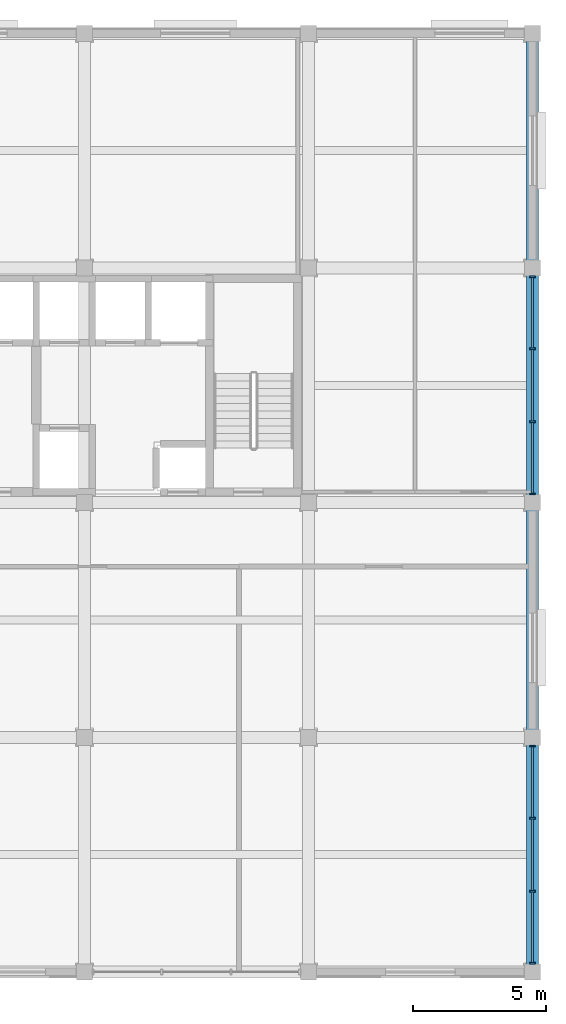
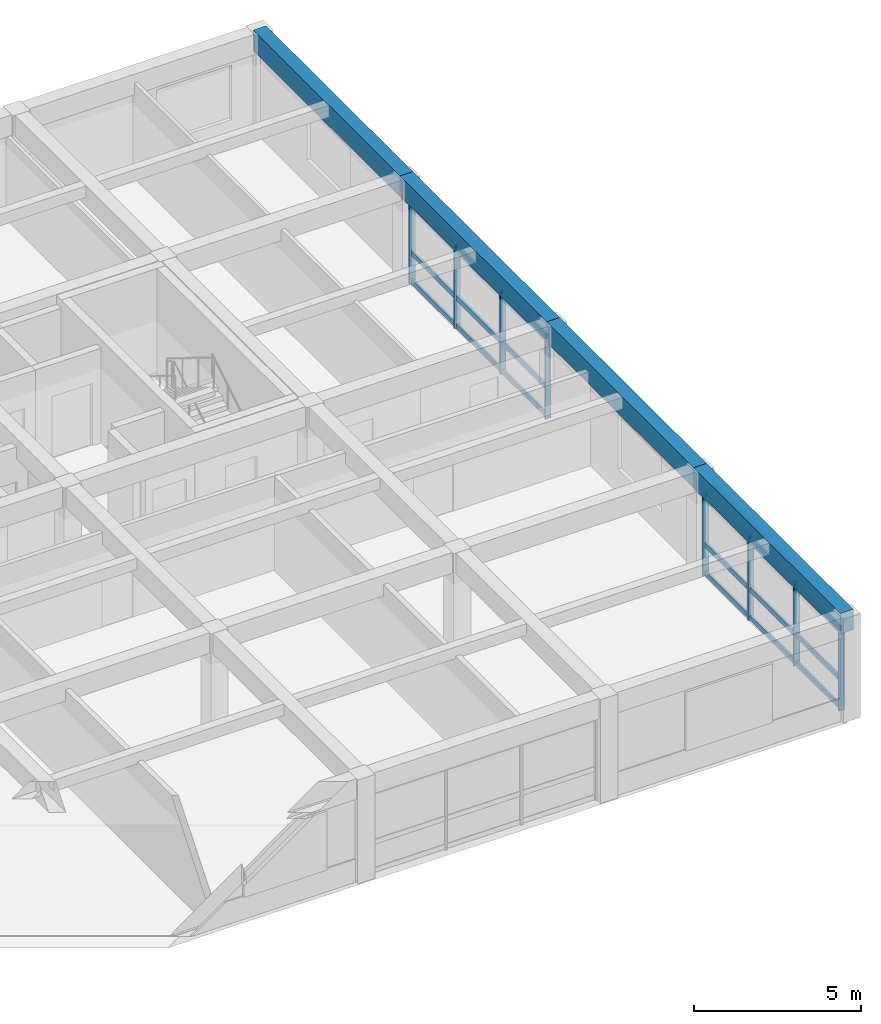
# One storey, part 4 of 12: 26 members, 4 beams, 2 elements without a shape of their own.
"""IFC4 building model written with IfcOpenShell, lengths in metres."""

from ifc_helpers import new_model, si_unit, direction, frame, origin, origin_2d, place, context, subcontext, project, spatial, rectangle, extrude, material, material_profile, profile_set, type_object, element, aggregate, save


model = new_model("IFC4")

# Units and contexts
model_context = context("Model", 3, precision=1e-05, world=origin(), true_north=direction((0.0, 1.0)))
body_context = subcontext(model_context, "Body", "Model", "MODEL_VIEW")
ifc_project = project(units=[si_unit("LENGTHUNIT", "METRE"), si_unit("AREAUNIT", "SQUARE_METRE"), si_unit("VOLUMEUNIT", "CUBIC_METRE"), si_unit("PLANEANGLEUNIT", "RADIAN"), si_unit("MASSUNIT", "GRAM", prefix="KILO")], contexts=[model_context])

# Site, building, storey
site_placement = place(None, origin())
site = spatial("IfcSite", under=ifc_project, at=site_placement, CompositionType="ELEMENT")
building_placement = place(site_placement, origin())
building = spatial("IfcBuilding", under=site, at=building_placement, Name="Kemercrest Conservatory and Botanical Centre", CompositionType="ELEMENT")
storey_placement = place(building_placement, frame((0.0, 0.0, 56.0)))
storey = spatial("IfcBuildingStorey", under=building, at=storey_placement, Name="L14", CompositionType="ELEMENT", Elevation=56.0)

# Curtain wall, members
ifc_material_1 = material(Name="Thermally broken aluminium and triple low-e glazing", Category="aluminium")
curtain_wall_type_1 = type_object("IfcCurtainWallType", Name="CW-22", PredefinedType="USERDEFINED", material=ifc_material_1)
curtain_wall_1_placement = place(storey_placement, origin())
curtain_wall_1 = element("IfcCurtainWall", 1, at=curtain_wall_1_placement, inside=storey, type_object=curtain_wall_type_1, Name="Unitised curtain wall CW-22 (CW:L14:V4-141)", ObjectType="UNITISED CURTAIN WALL", PredefinedType="USERDEFINED")
ifc_material_2 = material(Name="Thermally broken anodized aluminium 6063-T6", Category="aluminium")
ifc_material_profile_1 = material_profile(ifc_material_2, rectangle(XDim=0.199951171875, YDim=0.06494140625, at=origin_2d()), Name="AL MULLION 65x200")
ifc_profile_set_1 = profile_set([ifc_material_profile_1], Name="Thermally broken anodized aluminium 6063-T6")
member_type_1 = type_object("IfcMemberType", Name="CW-M200", PredefinedType="MULLION", material=ifc_profile_set_1)
member_1_placement = place(storey_placement, frame((176.0, 87.527587890625, 0.0), z_axis=(0.0, 0.0, 1.0), x_axis=(-1.0, 0.0, 0.0)))
member_1 = element("IfcMember", 2, at=member_1_placement, type_object=member_type_1, Name="CW-22 mullion 1", PredefinedType="MULLION", context=body_context, shape_type="SweptSolid", body=[
    extrude(rectangle(XDim=0.199951171875, YDim=0.06494140625, at=origin_2d()), origin(), (0.0, 0.0, 1.0), 3.054931640625),
])
member_2_placement = place(storey_placement, frame((176.0, 90.231689453125, 0.0), z_axis=(0.0, 0.0, 1.0), x_axis=(-1.0, 0.0, 0.0)))
member_2 = element("IfcMember", 3, at=member_2_placement, type_object=member_type_1, Name="CW-22 mullion 2", PredefinedType="MULLION", context=body_context, shape_type="SweptSolid", body=[
    extrude(rectangle(XDim=0.199951171875, YDim=0.06494140625, at=origin_2d()), origin(), (0.0, 0.0, 1.0), 3.054931640625),
])
member_3_placement = place(storey_placement, frame((176.0, 92.96826171875, 0.0), z_axis=(0.0, 0.0, 1.0), x_axis=(-1.0, 0.0, 0.0)))
member_3 = element("IfcMember", 4, at=member_3_placement, type_object=member_type_1, Name="CW-22 mullion 3", PredefinedType="MULLION", context=body_context, shape_type="SweptSolid", body=[
    extrude(rectangle(XDim=0.199951171875, YDim=0.06494140625, at=origin_2d()), origin(), (0.0, 0.0, 1.0), 3.054931640625),
])
member_4_placement = place(storey_placement, frame((176.0, 95.672607421875, 0.0), z_axis=(0.0, 0.0, 1.0), x_axis=(-1.0, 0.0, 0.0)))
member_4 = element("IfcMember", 5, at=member_4_placement, type_object=member_type_1, Name="CW-22 mullion 4", PredefinedType="MULLION", context=body_context, shape_type="SweptSolid", body=[
    extrude(rectangle(XDim=0.199951171875, YDim=0.06494140625, at=origin_2d()), origin(), (0.0, 0.0, 1.0), 3.054931640625),
])

curtain_wall_type_2 = type_object("IfcCurtainWallType", Name="CW-23", PredefinedType="USERDEFINED", material=ifc_material_1)
curtain_wall_2_placement = place(storey_placement, origin())
curtain_wall_2 = element("IfcCurtainWall", 6, at=curtain_wall_2_placement, inside=storey, type_object=curtain_wall_type_2, Name="Unitised curtain wall CW-23 (CW:L14:V4-142)", ObjectType="UNITISED CURTAIN WALL", PredefinedType="USERDEFINED")
member_5_placement = place(storey_placement, frame((176.0, 105.12744140625, 0.0), z_axis=(0.0, 0.0, 1.0), x_axis=(-1.0, 0.0, 0.0)))
member_5 = element("IfcMember", 7, at=member_5_placement, type_object=member_type_1, Name="CW-23 mullion 1", PredefinedType="MULLION", context=body_context, shape_type="SweptSolid", body=[
    extrude(rectangle(XDim=0.199951171875, YDim=0.06494140625, at=origin_2d()), origin(), (0.0, 0.0, 1.0), 3.054931640625),
])
member_6_placement = place(storey_placement, frame((176.0, 107.831787109375, 0.0), z_axis=(0.0, 0.0, 1.0), x_axis=(-1.0, 0.0, 0.0)))
member_6 = element("IfcMember", 8, at=member_6_placement, type_object=member_type_1, Name="CW-23 mullion 2", PredefinedType="MULLION", context=body_context, shape_type="SweptSolid", body=[
    extrude(rectangle(XDim=0.199951171875, YDim=0.06494140625, at=origin_2d()), origin(), (0.0, 0.0, 1.0), 3.054931640625),
])
member_7_placement = place(storey_placement, frame((176.0, 110.568359375, 0.0), z_axis=(0.0, 0.0, 1.0), x_axis=(-1.0, 0.0, 0.0)))
member_7 = element("IfcMember", 9, at=member_7_placement, type_object=member_type_1, Name="CW-23 mullion 3", PredefinedType="MULLION", context=body_context, shape_type="SweptSolid", body=[
    extrude(rectangle(XDim=0.199951171875, YDim=0.06494140625, at=origin_2d()), origin(), (0.0, 0.0, 1.0), 3.054931640625),
])
member_8_placement = place(storey_placement, frame((176.0, 113.2724609375, 0.0), z_axis=(0.0, 0.0, 1.0), x_axis=(-1.0, 0.0, 0.0)))
member_8 = element("IfcMember", 10, at=member_8_placement, type_object=member_type_1, Name="CW-23 mullion 4", PredefinedType="MULLION", context=body_context, shape_type="SweptSolid", body=[
    extrude(rectangle(XDim=0.199951171875, YDim=0.06494140625, at=origin_2d()), origin(), (0.0, 0.0, 1.0), 3.054931640625),
])

# Member
ifc_material_profile_2 = material_profile(ifc_material_2, rectangle(XDim=0.074951171875, YDim=0.179931640625, at=origin_2d()), Name="AL TRANSOM 75x180")
ifc_profile_set_2 = profile_set([ifc_material_profile_2], Name="Thermally broken anodized aluminium 6063-T6")
member_type_2 = type_object("IfcMemberType", Name="CW-T180", PredefinedType="USERDEFINED", material=ifc_profile_set_2)
member_9_placement = place(storey_placement, frame((176.0, 87.56005859375, 0.090087890625), z_axis=(0.0, 1.0, 0.0), x_axis=(-1.0, 0.0, 0.0)))
member_9 = element("IfcMember", 11, at=member_9_placement, type_object=member_type_2, Name="CW-22 transom 1.1", ObjectType="TRANSOM", PredefinedType="USERDEFINED", context=body_context, shape_type="SweptSolid", body=[
    extrude(rectangle(XDim=0.074951171875, YDim=0.179931640625, at=origin_2d()), origin(), (0.0, 0.0, 1.0), 2.63916015625),
])

member_10_placement = place(storey_placement, frame((176.0, 87.56005859375, 1.1201171875), z_axis=(0.0, 1.0, 0.0), x_axis=(-1.0, 0.0, 0.0)))
member_10 = element("IfcMember", 12, at=member_10_placement, type_object=member_type_2, Name="CW-22 transom 1.2", ObjectType="TRANSOM", PredefinedType="USERDEFINED", context=body_context, shape_type="SweptSolid", body=[
    extrude(rectangle(XDim=0.074951171875, YDim=0.179931640625, at=origin_2d()), origin(), (0.0, 0.0, 1.0), 2.63916015625),
])

member_11_placement = place(storey_placement, frame((176.0, 87.56005859375, 2.965087890625), z_axis=(0.0, 1.0, 0.0), x_axis=(-1.0, 0.0, 0.0)))
member_11 = element("IfcMember", 13, at=member_11_placement, type_object=member_type_2, Name="CW-22 transom 1.3", ObjectType="TRANSOM", PredefinedType="USERDEFINED", context=body_context, shape_type="SweptSolid", body=[
    extrude(rectangle(XDim=0.074951171875, YDim=0.179931640625, at=origin_2d()), origin(), (0.0, 0.0, 1.0), 2.63916015625),
])

member_12_placement = place(storey_placement, frame((176.0, 90.26416015625, 0.090087890625), z_axis=(0.0, 1.0, 0.0), x_axis=(-1.0, 0.0, 0.0)))
member_12 = element("IfcMember", 14, at=member_12_placement, type_object=member_type_2, Name="CW-22 transom 2.1", ObjectType="TRANSOM", PredefinedType="USERDEFINED", context=body_context, shape_type="SweptSolid", body=[
    extrude(rectangle(XDim=0.074951171875, YDim=0.179931640625, at=origin_2d()), origin(), (0.0, 0.0, 1.0), 2.671630859375),
])

member_13_placement = place(storey_placement, frame((176.0, 90.26416015625, 1.1201171875), z_axis=(0.0, 1.0, 0.0), x_axis=(-1.0, 0.0, 0.0)))
member_13 = element("IfcMember", 15, at=member_13_placement, type_object=member_type_2, Name="CW-22 transom 2.2", ObjectType="TRANSOM", PredefinedType="USERDEFINED", context=body_context, shape_type="SweptSolid", body=[
    extrude(rectangle(XDim=0.074951171875, YDim=0.179931640625, at=origin_2d()), origin(), (0.0, 0.0, 1.0), 2.671630859375),
])

member_14_placement = place(storey_placement, frame((176.0, 90.26416015625, 2.965087890625), z_axis=(0.0, 1.0, 0.0), x_axis=(-1.0, 0.0, 0.0)))
member_14 = element("IfcMember", 16, at=member_14_placement, type_object=member_type_2, Name="CW-22 transom 2.3", ObjectType="TRANSOM", PredefinedType="USERDEFINED", context=body_context, shape_type="SweptSolid", body=[
    extrude(rectangle(XDim=0.074951171875, YDim=0.179931640625, at=origin_2d()), origin(), (0.0, 0.0, 1.0), 2.671630859375),
])

member_15_placement = place(storey_placement, frame((176.0, 93.000732421875, 0.090087890625), z_axis=(0.0, 1.0, 0.0), x_axis=(-1.0, 0.0, 0.0)))
member_15 = element("IfcMember", 17, at=member_15_placement, type_object=member_type_2, Name="CW-22 transom 3.1", ObjectType="TRANSOM", PredefinedType="USERDEFINED", context=body_context, shape_type="SweptSolid", body=[
    extrude(rectangle(XDim=0.074951171875, YDim=0.179931640625, at=origin_2d()), origin(), (0.0, 0.0, 1.0), 2.63916015625),
])

member_16_placement = place(storey_placement, frame((176.0, 93.000732421875, 1.1201171875), z_axis=(0.0, 1.0, 0.0), x_axis=(-1.0, 0.0, 0.0)))
member_16 = element("IfcMember", 18, at=member_16_placement, type_object=member_type_2, Name="CW-22 transom 3.2", ObjectType="TRANSOM", PredefinedType="USERDEFINED", context=body_context, shape_type="SweptSolid", body=[
    extrude(rectangle(XDim=0.074951171875, YDim=0.179931640625, at=origin_2d()), origin(), (0.0, 0.0, 1.0), 2.63916015625),
])

member_17_placement = place(storey_placement, frame((176.0, 93.000732421875, 2.965087890625), z_axis=(0.0, 1.0, 0.0), x_axis=(-1.0, 0.0, 0.0)))
member_17 = element("IfcMember", 19, at=member_17_placement, type_object=member_type_2, Name="CW-22 transom 3.3", ObjectType="TRANSOM", PredefinedType="USERDEFINED", context=body_context, shape_type="SweptSolid", body=[
    extrude(rectangle(XDim=0.074951171875, YDim=0.179931640625, at=origin_2d()), origin(), (0.0, 0.0, 1.0), 2.63916015625),
])

aggregate(curtain_wall_1, [member_1, member_2, member_3, member_4, member_9, member_10, member_11, member_12, member_13, member_14, member_15, member_16, member_17])

member_18_placement = place(storey_placement, frame((176.0, 105.159912109375, 0.090087890625), z_axis=(0.0, 1.0, 0.0), x_axis=(-1.0, 0.0, 0.0)))
member_18 = element("IfcMember", 20, at=member_18_placement, type_object=member_type_2, Name="CW-23 transom 1.1", ObjectType="TRANSOM", PredefinedType="USERDEFINED", context=body_context, shape_type="SweptSolid", body=[
    extrude(rectangle(XDim=0.074951171875, YDim=0.179931640625, at=origin_2d()), origin(), (0.0, 0.0, 1.0), 2.63916015625),
])

member_19_placement = place(storey_placement, frame((176.0, 105.159912109375, 1.1201171875), z_axis=(0.0, 1.0, 0.0), x_axis=(-1.0, 0.0, 0.0)))
member_19 = element("IfcMember", 21, at=member_19_placement, type_object=member_type_2, Name="CW-23 transom 1.2", ObjectType="TRANSOM", PredefinedType="USERDEFINED", context=body_context, shape_type="SweptSolid", body=[
    extrude(rectangle(XDim=0.074951171875, YDim=0.179931640625, at=origin_2d()), origin(), (0.0, 0.0, 1.0), 2.63916015625),
])

member_20_placement = place(storey_placement, frame((176.0, 105.159912109375, 2.965087890625), z_axis=(0.0, 1.0, 0.0), x_axis=(-1.0, 0.0, 0.0)))
member_20 = element("IfcMember", 22, at=member_20_placement, type_object=member_type_2, Name="CW-23 transom 1.3", ObjectType="TRANSOM", PredefinedType="USERDEFINED", context=body_context, shape_type="SweptSolid", body=[
    extrude(rectangle(XDim=0.074951171875, YDim=0.179931640625, at=origin_2d()), origin(), (0.0, 0.0, 1.0), 2.63916015625),
])

member_21_placement = place(storey_placement, frame((176.0, 107.8642578125, 0.090087890625), z_axis=(0.0, 1.0, 0.0), x_axis=(-1.0, 0.0, 0.0)))
member_21 = element("IfcMember", 23, at=member_21_placement, type_object=member_type_2, Name="CW-23 transom 2.1", ObjectType="TRANSOM", PredefinedType="USERDEFINED", context=body_context, shape_type="SweptSolid", body=[
    extrude(rectangle(XDim=0.074951171875, YDim=0.179931640625, at=origin_2d()), origin(), (0.0, 0.0, 1.0), 2.671630859375),
])

member_22_placement = place(storey_placement, frame((176.0, 107.8642578125, 1.1201171875), z_axis=(0.0, 1.0, 0.0), x_axis=(-1.0, 0.0, 0.0)))
member_22 = element("IfcMember", 24, at=member_22_placement, type_object=member_type_2, Name="CW-23 transom 2.2", ObjectType="TRANSOM", PredefinedType="USERDEFINED", context=body_context, shape_type="SweptSolid", body=[
    extrude(rectangle(XDim=0.074951171875, YDim=0.179931640625, at=origin_2d()), origin(), (0.0, 0.0, 1.0), 2.671630859375),
])

member_23_placement = place(storey_placement, frame((176.0, 107.8642578125, 2.965087890625), z_axis=(0.0, 1.0, 0.0), x_axis=(-1.0, 0.0, 0.0)))
member_23 = element("IfcMember", 25, at=member_23_placement, type_object=member_type_2, Name="CW-23 transom 2.3", ObjectType="TRANSOM", PredefinedType="USERDEFINED", context=body_context, shape_type="SweptSolid", body=[
    extrude(rectangle(XDim=0.074951171875, YDim=0.179931640625, at=origin_2d()), origin(), (0.0, 0.0, 1.0), 2.671630859375),
])

member_24_placement = place(storey_placement, frame((176.0, 110.600830078125, 0.090087890625), z_axis=(0.0, 1.0, 0.0), x_axis=(-1.0, 0.0, 0.0)))
member_24 = element("IfcMember", 26, at=member_24_placement, type_object=member_type_2, Name="CW-23 transom 3.1", ObjectType="TRANSOM", PredefinedType="USERDEFINED", context=body_context, shape_type="SweptSolid", body=[
    extrude(rectangle(XDim=0.074951171875, YDim=0.179931640625, at=origin_2d()), origin(), (0.0, 0.0, 1.0), 2.63916015625),
])

member_25_placement = place(storey_placement, frame((176.0, 110.600830078125, 1.1201171875), z_axis=(0.0, 1.0, 0.0), x_axis=(-1.0, 0.0, 0.0)))
member_25 = element("IfcMember", 27, at=member_25_placement, type_object=member_type_2, Name="CW-23 transom 3.2", ObjectType="TRANSOM", PredefinedType="USERDEFINED", context=body_context, shape_type="SweptSolid", body=[
    extrude(rectangle(XDim=0.074951171875, YDim=0.179931640625, at=origin_2d()), origin(), (0.0, 0.0, 1.0), 2.63916015625),
])

member_26_placement = place(storey_placement, frame((176.0, 110.600830078125, 2.965087890625), z_axis=(0.0, 1.0, 0.0), x_axis=(-1.0, 0.0, 0.0)))
member_26 = element("IfcMember", 28, at=member_26_placement, type_object=member_type_2, Name="CW-23 transom 3.3", ObjectType="TRANSOM", PredefinedType="USERDEFINED", context=body_context, shape_type="SweptSolid", body=[
    extrude(rectangle(XDim=0.074951171875, YDim=0.179931640625, at=origin_2d()), origin(), (0.0, 0.0, 1.0), 2.63916015625),
])

aggregate(curtain_wall_2, [member_5, member_6, member_7, member_8, member_18, member_19, member_20, member_21, member_22, member_23, member_24, member_25, member_26])

# Beams
ifc_material_3 = material(Name="Concrete C40/50", Category="concrete")
ifc_material_profile_3 = material_profile(ifc_material_3, rectangle(XDim=0.449951171875, YDim=0.75, at=origin_2d()), Name="RC 450x750")
ifc_profile_set_3 = profile_set([ifc_material_profile_3], Name="Concrete C40/50")
beam_type = type_object("IfcBeamType", Name="SP-RC75", PredefinedType="SPANDREL", material=ifc_profile_set_3)
for number, where, z_axis, x_axis, name in (
    (29, (176.0, 87.199951171875, 3.425048828125), (0.0, 1.0, 0.0), (-1.0, 0.0, 0.0), "V4-L15 beam SP-RC75 21/K-L"),
    (30, (176.0, 96.0, 3.425048828125), (0.0, 1.0, 0.0), (-1.0, 0.0, 0.0), "V4-L15 beam SP-RC75 21/L-M"),
    (31, (176.0, 104.800048828125, 3.425048828125), (0.0, 1.0, 0.0), (-1.0, 0.0, 0.0), "V4-L15 beam SP-RC75 21/M-N"),
):
    element("IfcBeam", number, at=place(storey_placement, frame(where, z_axis=z_axis, x_axis=x_axis)), inside=storey, type_object=beam_type, Name=name, PredefinedType="SPANDREL", context=body_context, shape_type="SweptSolid", body=[
        extrude(rectangle(XDim=0.449951171875, YDim=0.75, at=origin_2d()), origin(), (0.0, 0.0, 1.0), 8.800048828125),
    ])
beam_placement = place(storey_placement, frame((176.0, 113.60009765625, 3.425048828125), z_axis=(0.0, 1.0, 0.0), x_axis=(-1.0, 0.0, 0.0)))
element("IfcBeam", 32, at=beam_placement, inside=storey, type_object=beam_type, Name="V4-L15 beam SP-RC75 21/N-P", PredefinedType="SPANDREL", context=body_context, shape_type="SweptSolid", body=[
    extrude(rectangle(XDim=0.449951171875, YDim=0.75, at=origin_2d()), origin(), (0.0, 0.0, 1.0), 8.7998046875),
])

save(model, "model.ifc")
